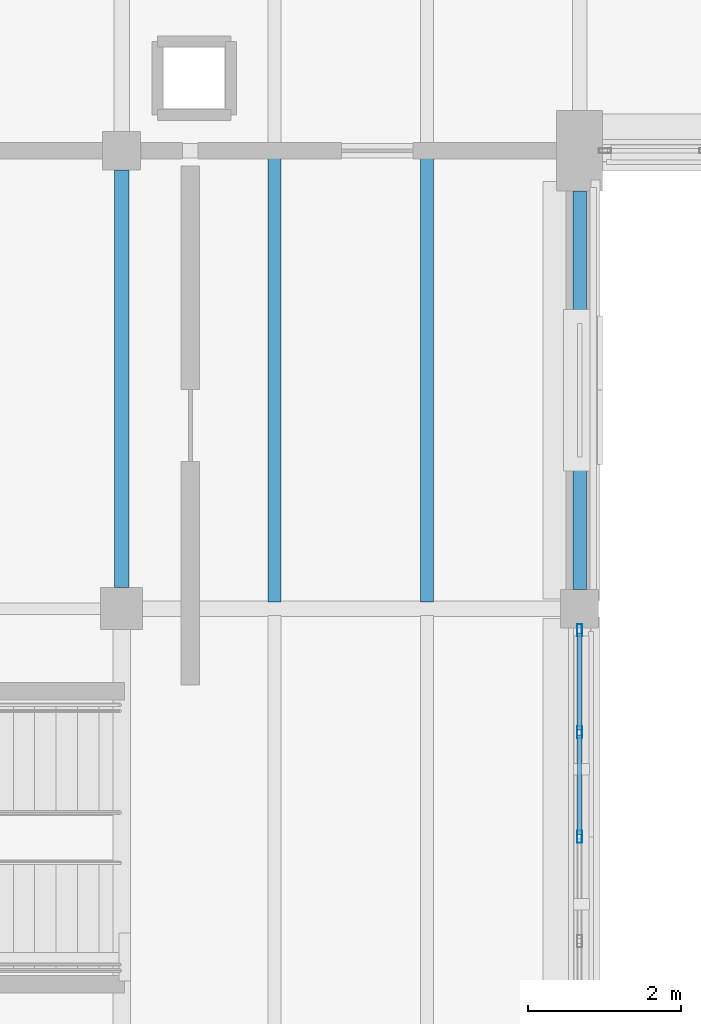
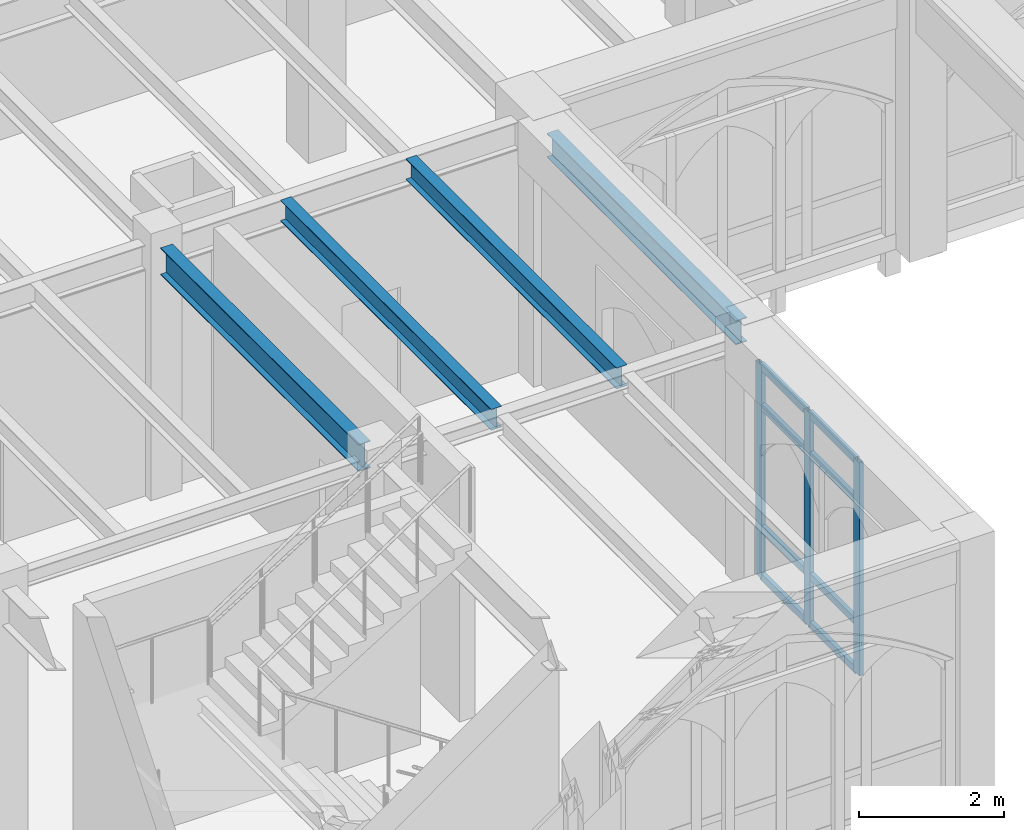
# One storey, part 49 of 143: 11 members, 4 beams, 1 element without a shape of its own.
"""IFC4 building model written with IfcOpenShell, lengths in metres."""

from ifc_helpers import new_model, si_unit, direction, frame, origin, origin_2d, place, context, subcontext, project, spatial, hollow_rectangle, i_section, extrude, material, layer, layer_set, material_profile, profile_set, type_object, element, aggregate, save


model = new_model("IFC4")

# Units and contexts
model_context = context("Model", 3, precision=1e-05, world=origin(), true_north=direction((0.0, 1.0)))
body_context = subcontext(model_context, "Body", "Model", "MODEL_VIEW")
ifc_project = project(units=[si_unit("LENGTHUNIT", "METRE"), si_unit("AREAUNIT", "SQUARE_METRE"), si_unit("VOLUMEUNIT", "CUBIC_METRE"), si_unit("PLANEANGLEUNIT", "RADIAN"), si_unit("MASSUNIT", "GRAM", prefix="KILO")], contexts=[model_context])

# Site, building, storey
site_placement = place(None, origin())
site = spatial("IfcSite", under=ifc_project, at=site_placement, CompositionType="ELEMENT")
building_placement = place(site_placement, origin())
building = spatial("IfcBuilding", under=site, at=building_placement, Name="Cumevento Cable Car Station", CompositionType="ELEMENT")
storey_placement = place(building_placement, frame((0.0, 0.0, 9.0)))
storey = spatial("IfcBuildingStorey", under=building, at=storey_placement, Name="L03", CompositionType="ELEMENT", Elevation=9.0)

# Curtain wall, members
ifc_material_1 = material(Name="Anodised Bronze Aluminium AW-6063-T6", Category="aluminium")
ifc_layer = layer(ifc_material_1, 0.214111328125)
ifc_layer_set = layer_set([ifc_layer], Name="Anodised Bronze Aluminium AW-6063-T6")
curtain_wall_type = type_object("IfcCurtainWallType", Name="Lancet Curtain Wall CW-10 1410", PredefinedType="NOTDEFINED", material=ifc_layer_set)
curtain_wall_placement = place(storey_placement, origin())
curtain_wall = element("IfcCurtainWall", 1, at=curtain_wall_placement, inside=storey, type_object=curtain_wall_type, Name="Lancet Curtain Wall CW-10 L03 #89", PredefinedType="NOTDEFINED")
ifc_material_2 = material(Name="Anodised Bronze Aluminium AW-6063-T6", Category="aluminium")
ifc_material_profile_1 = material_profile(ifc_material_2, hollow_rectangle(XDim=0.06494140625, YDim=0.159912109375, WallThickness=0.00390625, at=origin_2d()), Name="ALUM65x160x4")
ifc_profile_set_1 = profile_set([ifc_material_profile_1], Name="Anodised Bronze Aluminium AW-6063-T6")
member_type_1 = type_object("IfcMemberType", Name="Curtain Mullion CWM-01 ALUM65x160x4", PredefinedType="MULLION", material=ifc_profile_set_1)
member_1_placement = place(storey_placement, frame((82.0, 38.717529296875, 0.2099609375), z_axis=(0.0, 0.0, 1.0), x_axis=(1.0, 0.0, 0.0)))
member_1 = element("IfcMember", 2, at=member_1_placement, type_object=member_type_1, Name="CW-10 mullion 1", PredefinedType="MULLION", context=body_context, shape_type="SweptSolid", body=[
    extrude(hollow_rectangle(XDim=0.06494140625, YDim=0.159912109375, WallThickness=0.00390625, at=origin_2d()), origin(), (0.0, 0.0, 1.0), 3.59912109375),
])
member_2_placement = place(storey_placement, frame((82.0, 37.38134765625, 0.2099609375), z_axis=(0.0, 0.0, 1.0), x_axis=(1.0, 0.0, 0.0)))
member_2 = element("IfcMember", 3, at=member_2_placement, type_object=member_type_1, Name="CW-10 mullion 2", PredefinedType="MULLION", context=body_context, shape_type="SweptSolid", body=[
    extrude(hollow_rectangle(XDim=0.06494140625, YDim=0.159912109375, WallThickness=0.00390625, at=origin_2d()), origin(), (0.0, 0.0, 1.0), 3.59912109375),
])
member_3_placement = place(storey_placement, frame((82.0, 36.012451171875, 0.2099609375), z_axis=(0.0, 0.0, 1.0), x_axis=(1.0, 0.0, 0.0)))
member_3 = element("IfcMember", 4, at=member_3_placement, type_object=member_type_1, Name="CW-10 mullion 3", PredefinedType="MULLION", context=body_context, shape_type="SweptSolid", body=[
    extrude(hollow_rectangle(XDim=0.06494140625, YDim=0.159912109375, WallThickness=0.00390625, at=origin_2d()), origin(), (0.0, 0.0, 1.0), 3.59912109375),
])
ifc_material_3 = material(Name="Anodised Bronze Aluminium AW-6063-T6", Category="aluminium")
ifc_material_profile_2 = material_profile(ifc_material_3, hollow_rectangle(XDim=0.06494140625, YDim=0.1201171875, WallThickness=0.00390625, at=origin_2d()), Name="ALUT65x120x4")
ifc_profile_set_2 = profile_set([ifc_material_profile_2], Name="Anodised Bronze Aluminium AW-6063-T6")
member_type_2 = type_object("IfcMemberType", Name="Curtain Transom CWT-01 ALUT65x120x4", PredefinedType="USERDEFINED", material=ifc_profile_set_2)
member_4_placement = place(storey_placement, frame((82.0, 38.68505859375, 0.242431640625), z_axis=(0.0, -1.0, 0.0), x_axis=(1.0, 0.0, 0.0)))
member_4 = element("IfcMember", 5, at=member_4_placement, type_object=member_type_2, Name="CW-10 transom 1.1", ObjectType="TRANSOM", PredefinedType="USERDEFINED", context=body_context, shape_type="SweptSolid", body=[
    extrude(hollow_rectangle(XDim=0.06494140625, YDim=0.1201171875, WallThickness=0.00390625, at=origin_2d()), origin(), (0.0, 0.0, 1.0), 1.271240234375),
])
member_5_placement = place(storey_placement, frame((82.0, 38.68505859375, 1.06005859375), z_axis=(0.0, -1.0, 0.0), x_axis=(1.0, 0.0, 0.0)))
member_5 = element("IfcMember", 6, at=member_5_placement, type_object=member_type_2, Name="CW-10 transom 1.2", ObjectType="TRANSOM", PredefinedType="USERDEFINED", context=body_context, shape_type="SweptSolid", body=[
    extrude(hollow_rectangle(XDim=0.06494140625, YDim=0.1201171875, WallThickness=0.00390625, at=origin_2d()), origin(), (0.0, 0.0, 1.0), 1.271240234375),
])
member_6_placement = place(storey_placement, frame((82.0, 38.68505859375, 3.10888671875), z_axis=(0.0, -1.0, 0.0), x_axis=(1.0, 0.0, 0.0)))
member_6 = element("IfcMember", 7, at=member_6_placement, type_object=member_type_2, Name="CW-10 transom 1.3", ObjectType="TRANSOM", PredefinedType="USERDEFINED", context=body_context, shape_type="SweptSolid", body=[
    extrude(hollow_rectangle(XDim=0.06494140625, YDim=0.1201171875, WallThickness=0.00390625, at=origin_2d()), origin(), (0.0, 0.0, 1.0), 1.271240234375),
])
member_7_placement = place(storey_placement, frame((82.0, 38.68505859375, 3.776611328125), z_axis=(0.0, -1.0, 0.0), x_axis=(1.0, 0.0, 0.0)))
member_7 = element("IfcMember", 8, at=member_7_placement, type_object=member_type_2, Name="CW-10 transom 1.4", ObjectType="TRANSOM", PredefinedType="USERDEFINED", context=body_context, shape_type="SweptSolid", body=[
    extrude(hollow_rectangle(XDim=0.06494140625, YDim=0.1201171875, WallThickness=0.00390625, at=origin_2d()), origin(), (0.0, 0.0, 1.0), 1.271240234375),
])
member_8_placement = place(storey_placement, frame((82.0, 37.3486328125, 0.242431640625), z_axis=(0.0, -1.0, 0.0), x_axis=(1.0, 0.0, 0.0)))
member_8 = element("IfcMember", 9, at=member_8_placement, type_object=member_type_2, Name="CW-10 transom 2.1", ObjectType="TRANSOM", PredefinedType="USERDEFINED", context=body_context, shape_type="SweptSolid", body=[
    extrude(hollow_rectangle(XDim=0.06494140625, YDim=0.1201171875, WallThickness=0.00390625, at=origin_2d()), origin(), (0.0, 0.0, 1.0), 1.3037109375),
])
member_9_placement = place(storey_placement, frame((82.0, 37.3486328125, 1.06005859375), z_axis=(0.0, -1.0, 0.0), x_axis=(1.0, 0.0, 0.0)))
member_9 = element("IfcMember", 10, at=member_9_placement, type_object=member_type_2, Name="CW-10 transom 2.2", ObjectType="TRANSOM", PredefinedType="USERDEFINED", context=body_context, shape_type="SweptSolid", body=[
    extrude(hollow_rectangle(XDim=0.06494140625, YDim=0.1201171875, WallThickness=0.00390625, at=origin_2d()), origin(), (0.0, 0.0, 1.0), 1.3037109375),
])
member_10_placement = place(storey_placement, frame((82.0, 37.3486328125, 3.10888671875), z_axis=(0.0, -1.0, 0.0), x_axis=(1.0, 0.0, 0.0)))
member_10 = element("IfcMember", 11, at=member_10_placement, type_object=member_type_2, Name="CW-10 transom 2.3", ObjectType="TRANSOM", PredefinedType="USERDEFINED", context=body_context, shape_type="SweptSolid", body=[
    extrude(hollow_rectangle(XDim=0.06494140625, YDim=0.1201171875, WallThickness=0.00390625, at=origin_2d()), origin(), (0.0, 0.0, 1.0), 1.3037109375),
])
member_11_placement = place(storey_placement, frame((82.0, 37.3486328125, 3.776611328125), z_axis=(0.0, -1.0, 0.0), x_axis=(1.0, 0.0, 0.0)))
member_11 = element("IfcMember", 12, at=member_11_placement, type_object=member_type_2, Name="CW-10 transom 2.4", ObjectType="TRANSOM", PredefinedType="USERDEFINED", context=body_context, shape_type="SweptSolid", body=[
    extrude(hollow_rectangle(XDim=0.06494140625, YDim=0.1201171875, WallThickness=0.00390625, at=origin_2d()), origin(), (0.0, 0.0, 1.0), 1.3037109375),
])
aggregate(curtain_wall, [member_1, member_2, member_3, member_4, member_5, member_6, member_7, member_8, member_9, member_10, member_11])

# Beams
ifc_material_4 = material(Name="Steel ASTM A572 Grade 50", Category="steel")
ifc_material_profile_3 = material_profile(ifc_material_4, i_section(OverallWidth=0.18994140625, OverallDepth=0.45703125, WebThickness=0.009033203125, FlangeThickness=0.014404296875, at=origin_2d()), Name="W460x74.0")
ifc_profile_set_3 = profile_set([ifc_material_profile_3], Name="Steel ASTM A572 Grade 50")
beam_type_1 = type_object("IfcBeamType", Name="Structural Beam BM-04 W460x74.0", PredefinedType="BEAM", material=ifc_profile_set_3)
beam_1_placement = place(storey_placement, frame((76.0, 39.27490234375, 3.987548828125), z_axis=(0.0, 1.0, 0.0), x_axis=(-1.0, 0.0, 0.0)))
element("IfcBeam", 13, at=beam_1_placement, inside=storey, type_object=beam_type_1, Name="Beam BM-04 L03 #1001", PredefinedType="BEAM", context=body_context, shape_type="SweptSolid", body=[
    extrude(i_section(OverallWidth=0.18994140625, OverallDepth=0.45703125, WebThickness=0.009033203125, FlangeThickness=0.014404296875, at=origin_2d()), origin(), (0.0, 0.0, 1.0), 5.47509765625),
])
ifc_material_5 = material(Name="Steel ASTM A572 Grade 50", Category="steel")
ifc_material_profile_4 = material_profile(ifc_material_5, i_section(OverallWidth=0.1708984375, OverallDepth=0.35498046875, WebThickness=0.007080078125, FlangeThickness=0.01171875, at=origin_2d()), Name="W360x51.0")
ifc_profile_set_4 = profile_set([ifc_material_profile_4], Name="Steel ASTM A572 Grade 50")
beam_type_2 = type_object("IfcBeamType", Name="Structural Joist JS-01 W360x51.0", PredefinedType="JOIST", material=ifc_profile_set_4)
for number, where, z_axis, x_axis, name in (
    (14, (78.0, 39.089599609375, 4.03857421875), (0.0, 1.0, 0.0), (-1.0, 0.0, 0.0), "Composite Floor Joist JS-01 L03 #1206"),
    (15, (80.0, 39.089599609375, 4.03857421875), (0.0, 1.0, 0.0), (-1.0, 0.0, 0.0), "Composite Floor Joist JS-01 L03 #1208"),
):
    element("IfcBeam", number, at=place(storey_placement, frame(where, z_axis=z_axis, x_axis=x_axis)), inside=storey, type_object=beam_type_2, Name=name, PredefinedType="JOIST", context=body_context, shape_type="SweptSolid", body=[
        extrude(i_section(OverallWidth=0.1708984375, OverallDepth=0.35498046875, WebThickness=0.007080078125, FlangeThickness=0.01171875, at=origin_2d()), origin(), (0.0, 0.0, 1.0), 5.826416015625),
    ])
ifc_material_6 = material(Name="Steel ASTM A572 Grade 50", Category="steel")
ifc_material_profile_5 = material_profile(ifc_material_6, i_section(OverallWidth=0.177978515625, OverallDepth=0.406982421875, WebThickness=0.0078125, FlangeThickness=0.0126953125, at=origin_2d()), Name="W410x60.0")
ifc_profile_set_5 = profile_set([ifc_material_profile_5], Name="Steel ASTM A572 Grade 50")
beam_type_3 = type_object("IfcBeamType", Name="Structural Spandrel SP-01 W410x60.0", PredefinedType="SPANDREL", material=ifc_profile_set_5)
beam_2_placement = place(storey_placement, frame((82.0, 39.25, 4.012451171875), z_axis=(0.0, 1.0, 0.0), x_axis=(-1.0, 0.0, 0.0)))
element("IfcBeam", 16, at=beam_2_placement, inside=storey, type_object=beam_type_3, Name="Beam SP-01 L03 #1003", PredefinedType="SPANDREL", context=body_context, shape_type="SweptSolid", body=[
    extrude(i_section(OverallWidth=0.177978515625, OverallDepth=0.406982421875, WebThickness=0.0078125, FlangeThickness=0.0126953125, at=origin_2d()), origin(), (0.0, 0.0, 1.0), 5.22509765625),
])

save(model, "model.ifc")
